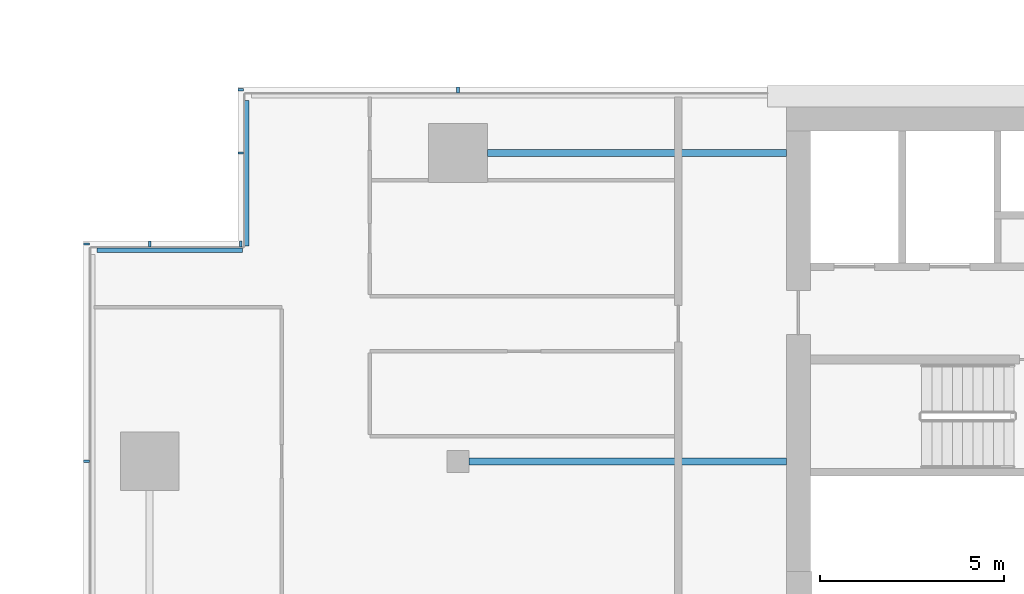
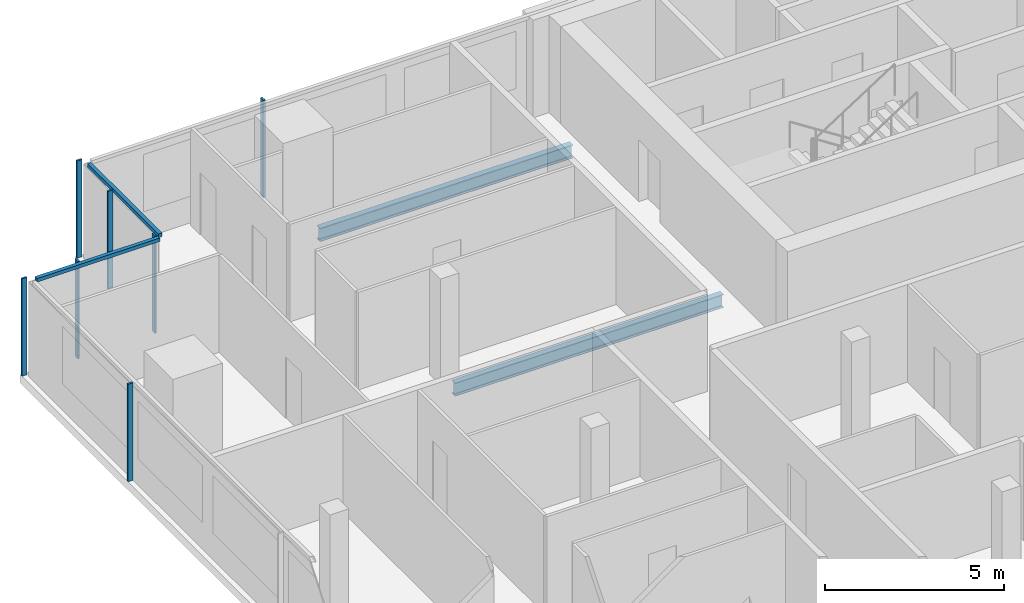
# One storey, part 8 of 29: 9 members, 2 beams, 4 elements without a shape of their own.
"""IFC4 building model written with IfcOpenShell, lengths in metres."""

from ifc_helpers import new_model, si_unit, direction, frame, origin, origin_2d, place, context, subcontext, project, spatial, rectangle, i_section, extrude, material, material_profile, profile_set, type_object, element, aggregate, save


model = new_model("IFC4")

# Units and contexts
model_context = context("Model", 3, precision=1e-05, world=origin(), true_north=direction((0.0, 1.0)))
body_context = subcontext(model_context, "Body", "Model", "MODEL_VIEW")
ifc_project = project(units=[si_unit("LENGTHUNIT", "METRE"), si_unit("AREAUNIT", "SQUARE_METRE"), si_unit("VOLUMEUNIT", "CUBIC_METRE"), si_unit("PLANEANGLEUNIT", "RADIAN"), si_unit("MASSUNIT", "GRAM", prefix="KILO")], contexts=[model_context])

# Site, building, storey
site_placement = place(None, origin())
site = spatial("IfcSite", under=ifc_project, at=site_placement, CompositionType="ELEMENT")
building_placement = place(site_placement, origin())
building = spatial("IfcBuilding", under=site, at=building_placement, Name="Saffron Gate Tower", CompositionType="ELEMENT")
storey_placement = place(building_placement, frame((0.0, 0.0, 227.10009765625)))
storey = spatial("IfcBuildingStorey", under=building, at=storey_placement, Name="L55", CompositionType="ELEMENT", Elevation=227.10009765625)

# Beams
ifc_material_1 = material(Name="Structural steel S355", Category="steel")
ifc_material_profile_1 = material_profile(ifc_material_1, i_section(OverallWidth=0.18994140625, OverallDepth=0.449951171875, WebThickness=0.009521484375, FlangeThickness=0.0146484375, FilletRadius=0.02099609375, at=origin_2d()))
ifc_profile_set_1 = profile_set([ifc_material_profile_1], Name="Structural steel S355")
beam_type = type_object("IfcBeamType", Name="B6 IPE 450", PredefinedType="BEAM", material=ifc_profile_set_1)
beam_1_placement = place(storey_placement, frame((58.5, 65.39990234375, -0.505126953125), z_axis=(1.0, 0.0, 0.0), x_axis=(0.0, 1.0, 0.0)))
element("IfcBeam", 1, at=beam_1_placement, inside=storey, type_object=beam_type, Name="B6 CORE TIE BEAM", PredefinedType="BEAM", context=body_context, shape_type="SweptSolid", body=[
    extrude(i_section(OverallWidth=0.18994140625, OverallDepth=0.449951171875, WebThickness=0.009521484375, FlangeThickness=0.0146484375, FilletRadius=0.02099609375, at=origin_2d()), origin(), (0.0, 0.0, 1.0), 8.64990234375),
])
beam_2_placement = place(storey_placement, frame((59.0, 73.800048828125, -0.505126953125), z_axis=(1.0, 0.0, 0.0), x_axis=(0.0, 1.0, 0.0)))
element("IfcBeam", 2, at=beam_2_placement, inside=storey, type_object=beam_type, Name="B6 CORE TIE BEAM", PredefinedType="BEAM", context=body_context, shape_type="SweptSolid", body=[
    extrude(i_section(OverallWidth=0.18994140625, OverallDepth=0.449951171875, WebThickness=0.009521484375, FlangeThickness=0.0146484375, FilletRadius=0.02099609375, at=origin_2d()), origin(), (0.0, 0.0, 1.0), 8.14990234375),
])

# Curtain wall, members
ifc_material_2 = material(Name="Aluminium, bronze anodised", Category="aluminium")
curtain_wall_type_1 = type_object("IfcCurtainWallType", Name="CWS2 curtain wall side facades", PredefinedType="NOTDEFINED", material=ifc_material_2)
curtain_wall_1_placement = place(storey_placement, origin())
curtain_wall_1 = element("IfcCurtainWall", 3, at=curtain_wall_1_placement, inside=storey, type_object=curtain_wall_type_1, Name="CWS2 run 10", PredefinedType="NOTDEFINED")
ifc_material_profile_2 = material_profile(ifc_material_2, rectangle(XDim=0.159912109375, YDim=0.06005859375, at=origin_2d()))
ifc_profile_set_2 = profile_set([ifc_material_profile_2], Name="Aluminium, bronze anodised")
member_type_1 = type_object("IfcMemberType", Name="CWS2 mullion 60x160", PredefinedType="MULLION", material=ifc_profile_set_2)
member_1_placement = place(storey_placement, frame((48.080078125, 71.320068359375, 0.0), z_axis=(0.0, 0.0, 1.0), x_axis=(1.0, 0.0, 0.0)))
member_1 = element("IfcMember", 4, at=member_1_placement, type_object=member_type_1, Name="CWS2 mullion 1", PredefinedType="MULLION", context=body_context, shape_type="SweptSolid", body=[
    extrude(rectangle(XDim=0.159912109375, YDim=0.06005859375, at=origin_2d()), origin(), (0.0, 0.0, 1.0), 3.31982421875),
])
member_2_placement = place(storey_placement, frame((48.080078125, 65.39990234375, 0.0), z_axis=(0.0, 0.0, 1.0), x_axis=(1.0, 0.0, 0.0)))
member_2 = element("IfcMember", 5, at=member_2_placement, type_object=member_type_1, Name="CWS2 mullion 2", PredefinedType="MULLION", context=body_context, shape_type="SweptSolid", body=[
    extrude(rectangle(XDim=0.159912109375, YDim=0.06005859375, at=origin_2d()), origin(), (0.0, 0.0, 1.0), 3.31982421875),
])
aggregate(curtain_wall_1, [member_1, member_2])

# Curtain wall, member
curtain_wall_type_2 = type_object("IfcCurtainWallType", Name="CWS3 curtain wall rear facade", PredefinedType="NOTDEFINED", material=ifc_material_2)
curtain_wall_2_placement = place(storey_placement, origin())
curtain_wall_2 = element("IfcCurtainWall", 6, at=curtain_wall_2_placement, inside=storey, type_object=curtain_wall_type_2, Name="CWS3 run 7", PredefinedType="NOTDEFINED")
ifc_material_profile_3 = material_profile(ifc_material_2, rectangle(XDim=0.159912109375, YDim=0.070068359375, at=origin_2d()))
ifc_profile_set_3 = profile_set([ifc_material_profile_3], Name="Aluminium, bronze anodised")
member_type_2 = type_object("IfcMemberType", Name="CWS3 mullion 70x160", PredefinedType="MULLION", material=ifc_profile_set_3)
member_3_placement = place(storey_placement, frame((58.199951171875, 75.52001953125, 0.0), z_axis=(0.0, 0.0, 1.0), x_axis=(0.0, -1.0, 0.0)))
member_3 = element("IfcMember", 7, at=member_3_placement, type_object=member_type_2, Name="CWS3 mullion 9", PredefinedType="MULLION", context=body_context, shape_type="SweptSolid", body=[
    extrude(rectangle(XDim=0.159912109375, YDim=0.070068359375, at=origin_2d()), origin(), (0.0, 0.0, 1.0), 3.31982421875),
])
aggregate(curtain_wall_2, [member_3])

curtain_wall_type_3 = type_object("IfcCurtainWallType", Name="CWS4 curtain wall corner returns", PredefinedType="NOTDEFINED", material=ifc_material_2)
curtain_wall_3_placement = place(storey_placement, origin())
curtain_wall_3 = element("IfcCurtainWall", 8, at=curtain_wall_3_placement, inside=storey, type_object=curtain_wall_type_3, Name="CWS4 run 8", PredefinedType="NOTDEFINED")
ifc_material_profile_4 = material_profile(ifc_material_2, rectangle(XDim=0.1201171875, YDim=0.1201171875, at=origin_2d()))
ifc_profile_set_4 = profile_set([ifc_material_profile_4], Name="Aluminium, bronze anodised")
member_type_3 = type_object("IfcMemberType", Name="CWS4 head transom", PredefinedType="USERDEFINED", material=ifc_profile_set_4)
member_4_placement = place(storey_placement, frame((52.447998046875, 75.23193359375, 3.260009765625), z_axis=(0.0, -1.0, 0.0), x_axis=(1.0, 0.0, 0.0)))
member_4 = element("IfcMember", 9, at=member_4_placement, type_object=member_type_3, Name="CWS4 head transom", ObjectType="TRANSOM", PredefinedType="USERDEFINED", context=body_context, shape_type="SweptSolid", body=[
    extrude(rectangle(XDim=0.1201171875, YDim=0.1201171875, at=origin_2d()), origin(), (0.0, 0.0, 1.0), 3.9599609375),
])

curtain_wall_4_placement = place(storey_placement, origin())
curtain_wall_4 = element("IfcCurtainWall", 10, at=curtain_wall_4_placement, inside=storey, type_object=curtain_wall_type_3, Name="CWS4 run 9", PredefinedType="NOTDEFINED")
member_5_placement = place(storey_placement, frame((52.327880859375, 71.152099609375, 3.260009765625), z_axis=(-1.0, 0.0, 0.0), x_axis=(0.0, -1.0, 0.0)))
member_5 = element("IfcMember", 11, at=member_5_placement, type_object=member_type_3, Name="CWS4 head transom", ObjectType="TRANSOM", PredefinedType="USERDEFINED", context=body_context, shape_type="SweptSolid", body=[
    extrude(rectangle(XDim=0.1201171875, YDim=0.1201171875, at=origin_2d()), origin(), (0.0, 0.0, 1.0), 3.9599609375),
])

# Member
ifc_material_profile_5 = material_profile(ifc_material_2, rectangle(XDim=0.159912109375, YDim=0.06005859375, at=origin_2d()))
ifc_profile_set_5 = profile_set([ifc_material_profile_5], Name="Aluminium, bronze anodised")
member_type_4 = type_object("IfcMemberType", Name="CWS4 mullion 60x160", PredefinedType="MULLION", material=ifc_profile_set_5)
member_6_placement = place(storey_placement, frame((52.280029296875, 75.52001953125, 0.0), z_axis=(0.0, 0.0, 1.0), x_axis=(1.0, 0.0, 0.0)))
member_6 = element("IfcMember", 12, at=member_6_placement, type_object=member_type_4, Name="CWS4 mullion 1", PredefinedType="MULLION", context=body_context, shape_type="SweptSolid", body=[
    extrude(rectangle(XDim=0.159912109375, YDim=0.06005859375, at=origin_2d()), origin(), (0.0, 0.0, 1.0), 3.31982421875),
])

member_7_placement = place(storey_placement, frame((52.280029296875, 73.800048828125, 0.0), z_axis=(0.0, 0.0, 1.0), x_axis=(1.0, 0.0, 0.0)))
member_7 = element("IfcMember", 13, at=member_7_placement, type_object=member_type_4, Name="CWS4 mullion 2", PredefinedType="MULLION", context=body_context, shape_type="SweptSolid", body=[
    extrude(rectangle(XDim=0.159912109375, YDim=0.06005859375, at=origin_2d()), origin(), (0.0, 0.0, 1.0), 3.31982421875),
])

aggregate(curtain_wall_3, [member_6, member_7, member_4])

member_8_placement = place(storey_placement, frame((52.280029296875, 71.320068359375, 0.0), z_axis=(0.0, 0.0, 1.0), x_axis=(0.0, -1.0, 0.0)))
member_8 = element("IfcMember", 14, at=member_8_placement, type_object=member_type_4, Name="CWS4 mullion 1", PredefinedType="MULLION", context=body_context, shape_type="SweptSolid", body=[
    extrude(rectangle(XDim=0.159912109375, YDim=0.06005859375, at=origin_2d()), origin(), (0.0, 0.0, 1.0), 3.31982421875),
])

member_9_placement = place(storey_placement, frame((49.800048828125, 71.320068359375, 0.0), z_axis=(0.0, 0.0, 1.0), x_axis=(0.0, -1.0, 0.0)))
member_9 = element("IfcMember", 15, at=member_9_placement, type_object=member_type_4, Name="CWS4 mullion 2", PredefinedType="MULLION", context=body_context, shape_type="SweptSolid", body=[
    extrude(rectangle(XDim=0.159912109375, YDim=0.06005859375, at=origin_2d()), origin(), (0.0, 0.0, 1.0), 3.31982421875),
])

aggregate(curtain_wall_4, [member_8, member_9, member_5])

save(model, "model.ifc")
